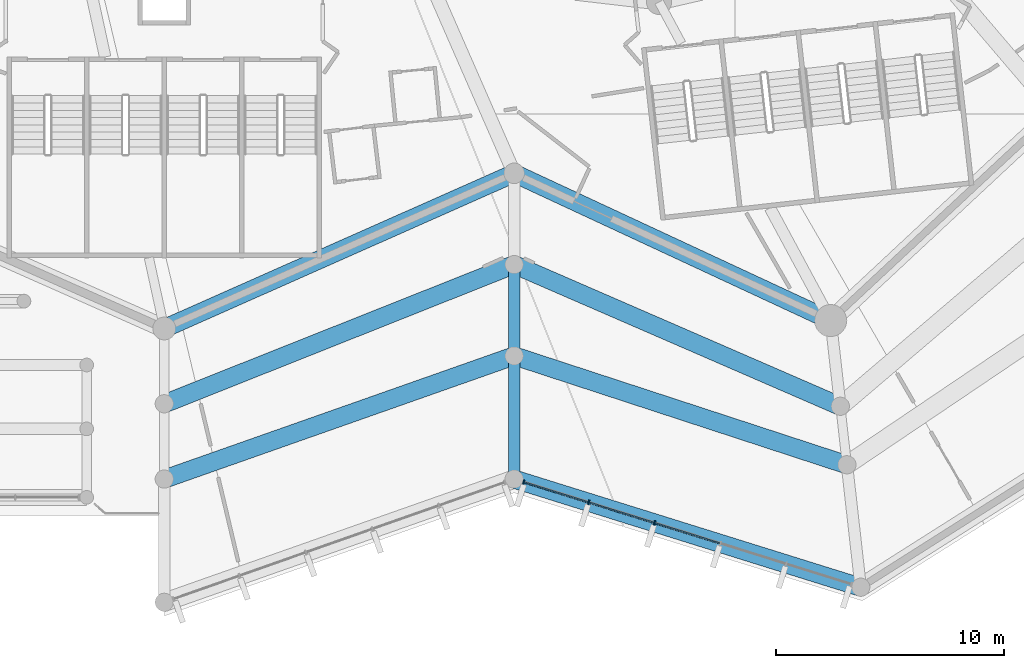
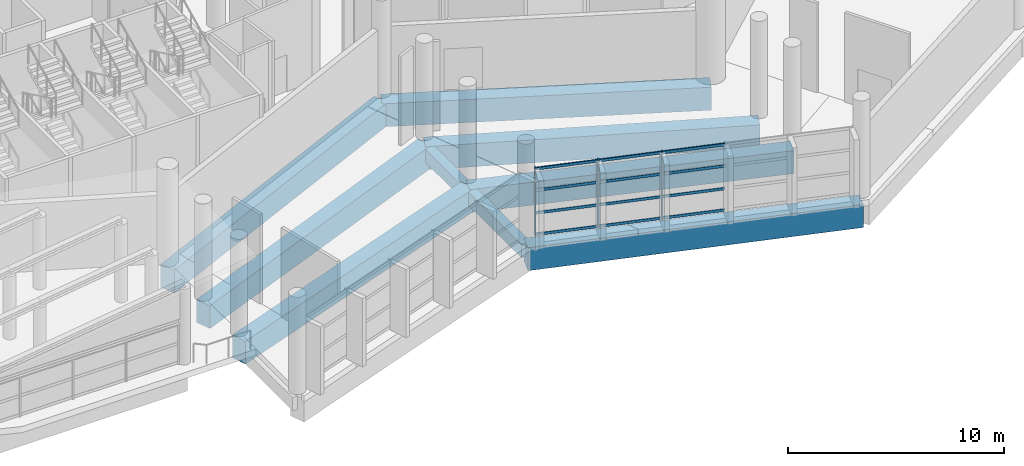
# One storey, part 40 of 271: 15 members, 9 beams, 1 element without a shape of its own.
"""IFC4 building model written with IfcOpenShell, lengths in metres."""

from ifc_helpers import new_model, si_unit, direction, frame, origin, origin_2d, place, context, subcontext, project, spatial, rectangle, extrude, material, layer, layer_set, material_profile, profile_set, type_object, element, aggregate, save


model = new_model("IFC4")

# Units and contexts
model_context = context("Model", 3, precision=1e-05, world=origin(), true_north=direction((0.0, 1.0)))
body_context = subcontext(model_context, "Body", "Model", "MODEL_VIEW")
ifc_project = project(units=[si_unit("LENGTHUNIT", "METRE"), si_unit("AREAUNIT", "SQUARE_METRE"), si_unit("VOLUMEUNIT", "CUBIC_METRE"), si_unit("PLANEANGLEUNIT", "RADIAN"), si_unit("MASSUNIT", "GRAM", prefix="KILO")], contexts=[model_context])

# Site, building, storey
site_placement = place(None, origin())
site = spatial("IfcSite", under=ifc_project, at=site_placement, CompositionType="ELEMENT")
building_placement = place(site_placement, origin())
building = spatial("IfcBuilding", under=site, at=building_placement, Name="Meseta Stadium", CompositionType="ELEMENT")
storey_placement = place(building_placement, frame((0.0, 0.0, 6.5)))
storey = spatial("IfcBuildingStorey", under=building, at=storey_placement, Name="L01", CompositionType="ELEMENT", Elevation=6.5)

# Beams
ifc_material_1 = material(Name="Concrete C40/50", Category="concrete")
ifc_material_profile_1 = material_profile(ifc_material_1, rectangle(XDim=0.5, YDim=0.75, at=origin_2d()), Name="RC 500x750")
ifc_profile_set_1 = profile_set([ifc_material_profile_1], Name="Concrete C40/50")
beam_type_1 = type_object("IfcBeamType", Name="RC beam 500x750", PredefinedType="BEAM", material=ifc_profile_set_1)
beam_1_placement = place(storey_placement, frame((38.333251953125, -102.60009765625, -0.72509765625), z_axis=(0.0, -1.0, 0.0), x_axis=(1.0, 0.0, 0.0)))
element("IfcBeam", 1, at=beam_1_placement, inside=storey, type_object=beam_type_1, Name="L01 radial beam frame 49 line M to Q", PredefinedType="BEAM", context=body_context, shape_type="SweptSolid", body=[
    extrude(rectangle(XDim=0.5, YDim=0.75, at=origin_2d()), origin(), (0.0, 0.0, 1.0), 4.0),
])
beam_2_placement = place(storey_placement, frame((38.333251953125, -106.60009765625, -0.72509765625), z_axis=(0.0, -1.0, 0.0), x_axis=(1.0, 0.0, 0.0)))
element("IfcBeam", 2, at=beam_2_placement, inside=storey, type_object=beam_type_1, Name="L01 radial beam frame 49 line Q to O", PredefinedType="BEAM", context=body_context, shape_type="SweptSolid", body=[
    extrude(rectangle(XDim=0.5, YDim=0.75, at=origin_2d()), origin(), (0.0, 0.0, 1.0), 5.39990234375),
])
ifc_material_2 = material(Name="Concrete C40/50", Category="concrete")
ifc_material_profile_2 = material_profile(ifc_material_2, rectangle(XDim=0.800048828125, YDim=1.300048828125, at=origin_2d()), Name="RC 800x1300")
ifc_profile_set_2 = profile_set([ifc_material_profile_2], Name="Concrete C40/50")
beam_type_2 = type_object("IfcBeamType", Name="RC beam 800x1300", PredefinedType="BEAM", material=ifc_profile_set_2)
beam_3_placement = place(storey_placement, frame((23.0, -105.39990234375, -1.0), z_axis=(0.914142564088, 0.405392861953, 0.0), x_axis=(-0.405392861953, 0.914142564088, 0.0)))
element("IfcBeam", 3, at=beam_3_placement, inside=storey, type_object=beam_type_2, Name="L01 ring beam frame 48 line R", PredefinedType="BEAM", context=body_context, shape_type="SweptSolid", body=[
    extrude(rectangle(XDim=0.800048828125, YDim=1.300048828125, at=origin_2d()), origin(), (0.0, 0.0, 1.0), 16.7734375),
])
beam_4_placement = place(storey_placement, frame((38.333251953125, -98.60009765625, -1.0), z_axis=(0.906704363154, -0.421766757625, 0.0), x_axis=(0.421766757625, 0.906704363154, 0.0)))
element("IfcBeam", 4, at=beam_4_placement, inside=storey, type_object=beam_type_2, Name="L01 ring beam frame 49 line R", PredefinedType="BEAM", context=body_context, shape_type="SweptSolid", body=[
    extrude(rectangle(XDim=0.800048828125, YDim=1.300048828125, at=origin_2d()), origin(), (0.0, 0.0, 1.0), 15.296630859375),
])
beam_5_placement = place(storey_placement, frame((23.0, -108.699951171875, -1.0), z_axis=(0.929173963419, 0.369642727108, 0.0), x_axis=(-0.369642727108, 0.929173963419, 0.0)))
element("IfcBeam", 5, at=beam_5_placement, inside=storey, type_object=beam_type_2, Name="L01 ring beam frame 48 line M", PredefinedType="BEAM", context=body_context, shape_type="SweptSolid", body=[
    extrude(rectangle(XDim=0.800048828125, YDim=1.300048828125, at=origin_2d()), origin(), (0.0, 0.0, 1.0), 16.501953125),
])
beam_6_placement = place(storey_placement, frame((23.0, -112.0, -1.0), z_axis=(0.943218573019, 0.332172731439, 0.0), x_axis=(-0.332172731439, 0.943218573019, 0.0)))
element("IfcBeam", 6, at=beam_6_placement, inside=storey, type_object=beam_type_2, Name="L01 ring beam frame 48 line Q", PredefinedType="BEAM", context=body_context, shape_type="SweptSolid", body=[
    extrude(rectangle(XDim=0.800048828125, YDim=1.300048828125, at=origin_2d()), origin(), (0.0, 0.0, 1.0), 16.25634765625),
])
beam_7_placement = place(storey_placement, frame((38.333251953125, -102.60009765625, -1.0), z_axis=(0.917218444674, -0.398384644219, 0.0), x_axis=(0.398384644219, 0.917218444674, 0.0)))
element("IfcBeam", 7, at=beam_7_placement, inside=storey, type_object=beam_type_2, Name="L01 ring beam frame 49 line M", PredefinedType="BEAM", context=body_context, shape_type="SweptSolid", body=[
    extrude(rectangle(XDim=0.800048828125, YDim=1.300048828125, at=origin_2d()), origin(), (0.0, 0.0, 1.0), 15.5830078125),
])
beam_8_placement = place(storey_placement, frame((38.333251953125, -106.60009765625, -1.0), z_axis=(0.950397214569, -0.311038799089, 0.0), x_axis=(0.311038799089, 0.950397214569, 0.0)))
element("IfcBeam", 8, at=beam_8_placement, inside=storey, type_object=beam_type_2, Name="L01 ring beam frame 49 line Q", PredefinedType="BEAM", context=body_context, shape_type="SweptSolid", body=[
    extrude(rectangle(XDim=0.800048828125, YDim=1.300048828125, at=origin_2d()), origin(), (0.0, 0.0, 1.0), 15.3427734375),
])
beam_9_placement = place(storey_placement, frame((38.333251953125, -112.0, -1.0), z_axis=(0.954612869987, -0.297849405667, 0.0), x_axis=(0.297849405667, 0.954612869987, 0.0)))
element("IfcBeam", 9, at=beam_9_placement, inside=storey, type_object=beam_type_2, Name="L01 ring beam frame 49 line O", PredefinedType="BEAM", context=body_context, shape_type="SweptSolid", body=[
    extrude(rectangle(XDim=0.800048828125, YDim=1.300048828125, at=origin_2d()), origin(), (0.0, 0.0, 1.0), 15.908203125),
])

# Curtain wall, members
ifc_material_3 = material(Name="Aluminium", Category="aluminium")
ifc_layer = layer(ifc_material_3, 0.199951171875)
ifc_layer_set = layer_set([ifc_layer], Name="Ring shopfront curtain wall")
curtain_wall_type = type_object("IfcCurtainWallType", Name="Ring shopfront curtain wall", PredefinedType="NOTDEFINED", material=ifc_layer_set)
curtain_wall_placement = place(storey_placement, origin())
curtain_wall = element("IfcCurtainWall", 10, at=curtain_wall_placement, inside=storey, type_object=curtain_wall_type, Name="Ring glazing L01 F49", PredefinedType="NOTDEFINED")
ifc_material_4 = material(Name="Aluminium", Category="aluminium")
ifc_material_profile_3 = material_profile(ifc_material_4, rectangle(XDim=0.199951171875, YDim=0.06005859375, at=origin_2d()), Name="CW 200x60")
ifc_profile_set_3 = profile_set([ifc_material_profile_3], Name="Aluminium")
member_type_1 = type_object("IfcMemberType", Name="Ring CW mullion 60x200", PredefinedType="MULLION", material=ifc_profile_set_3)
member_1_placement = place(storey_placement, frame((38.743896484375, -112.1279296875, 0.0), z_axis=(0.0, 0.0, 1.0), x_axis=(0.297861157885, 0.95460920309, 0.0)))
member_1 = element("IfcMember", 11, at=member_1_placement, type_object=member_type_1, Name="CWR1 mullion 1", PredefinedType="MULLION", context=body_context, shape_type="SweptSolid", body=[
    extrude(rectangle(XDim=0.199951171875, YDim=0.06005859375, at=origin_2d()), origin(), (0.0, 0.0, 1.0), 3.85009765625),
])
member_2_placement = place(storey_placement, frame((41.599609375, -113.01904296875, 0.0), z_axis=(0.0, 0.0, 1.0), x_axis=(0.297861157885, 0.95460920309, 0.0)))
member_2 = element("IfcMember", 12, at=member_2_placement, type_object=member_type_1, Name="CWR1 mullion 2", PredefinedType="MULLION", context=body_context, shape_type="SweptSolid", body=[
    extrude(rectangle(XDim=0.199951171875, YDim=0.06005859375, at=origin_2d()), origin(), (0.0, 0.0, 1.0), 3.85009765625),
])
member_3_placement = place(storey_placement, frame((44.484130859375, -113.919189453125, 0.0), z_axis=(0.0, 0.0, 1.0), x_axis=(0.297861157885, 0.95460920309, 0.0)))
member_3 = element("IfcMember", 13, at=member_3_placement, type_object=member_type_1, Name="CWR1 mullion 3", PredefinedType="MULLION", context=body_context, shape_type="SweptSolid", body=[
    extrude(rectangle(XDim=0.199951171875, YDim=0.06005859375, at=origin_2d()), origin(), (0.0, 0.0, 1.0), 3.85009765625),
])
ifc_material_5 = material(Name="Aluminium", Category="aluminium")
ifc_material_profile_4 = material_profile(ifc_material_5, rectangle(XDim=0.06005859375, YDim=0.14990234375, at=origin_2d()), Name="CW 60x150")
ifc_profile_set_4 = profile_set([ifc_material_profile_4], Name="Aluminium")
member_type_2 = type_object("IfcMemberType", Name="Ring CW transom 60x150", PredefinedType="USERDEFINED", material=ifc_profile_set_4)
member_4_placement = place(storey_placement, frame((38.7724609375, -112.136962890625, 0.074951171875), z_axis=(0.954602885883, -0.297881403019, 0.0), x_axis=(0.297881403019, 0.954602885883, 0.0)))
member_4 = element("IfcMember", 14, at=member_4_placement, type_object=member_type_2, Name="CWR1 transom 1.1", ObjectType="TRANSOM", PredefinedType="USERDEFINED", context=body_context, shape_type="SweptSolid", body=[
    extrude(rectangle(XDim=0.06005859375, YDim=0.14990234375, at=origin_2d()), origin(), (0.0, 0.0, 1.0), 2.931640625),
])
member_5_placement = place(storey_placement, frame((38.7724609375, -112.136962890625, 1.283447265625), z_axis=(0.954602885883, -0.297881403019, 0.0), x_axis=(0.297881403019, 0.954602885883, 0.0)))
member_5 = element("IfcMember", 15, at=member_5_placement, type_object=member_type_2, Name="CWR1 transom 1.2", ObjectType="TRANSOM", PredefinedType="USERDEFINED", context=body_context, shape_type="SweptSolid", body=[
    extrude(rectangle(XDim=0.06005859375, YDim=0.14990234375, at=origin_2d()), origin(), (0.0, 0.0, 1.0), 2.931640625),
])
member_6_placement = place(storey_placement, frame((38.7724609375, -112.136962890625, 2.566650390625), z_axis=(0.954602885883, -0.297881403019, 0.0), x_axis=(0.297881403019, 0.954602885883, 0.0)))
member_6 = element("IfcMember", 16, at=member_6_placement, type_object=member_type_2, Name="CWR1 transom 1.3", ObjectType="TRANSOM", PredefinedType="USERDEFINED", context=body_context, shape_type="SweptSolid", body=[
    extrude(rectangle(XDim=0.06005859375, YDim=0.14990234375, at=origin_2d()), origin(), (0.0, 0.0, 1.0), 2.931640625),
])
member_7_placement = place(storey_placement, frame((38.7724609375, -112.136962890625, 3.77490234375), z_axis=(0.954602885883, -0.297881403019, 0.0), x_axis=(0.297881403019, 0.954602885883, 0.0)))
member_7 = element("IfcMember", 17, at=member_7_placement, type_object=member_type_2, Name="CWR1 transom 1.4", ObjectType="TRANSOM", PredefinedType="USERDEFINED", context=body_context, shape_type="SweptSolid", body=[
    extrude(rectangle(XDim=0.06005859375, YDim=0.14990234375, at=origin_2d()), origin(), (0.0, 0.0, 1.0), 2.931640625),
])
member_8_placement = place(storey_placement, frame((41.62841796875, -113.028076171875, 0.074951171875), z_axis=(0.954614829799, -0.297843124358, 0.0), x_axis=(0.297843124358, 0.954614829799, 0.0)))
member_8 = element("IfcMember", 18, at=member_8_placement, type_object=member_type_2, Name="CWR1 transom 2.1", ObjectType="TRANSOM", PredefinedType="USERDEFINED", context=body_context, shape_type="SweptSolid", body=[
    extrude(rectangle(XDim=0.06005859375, YDim=0.14990234375, at=origin_2d()), origin(), (0.0, 0.0, 1.0), 2.961669921875),
])
member_9_placement = place(storey_placement, frame((41.62841796875, -113.028076171875, 1.283447265625), z_axis=(0.954614829799, -0.297843124358, 0.0), x_axis=(0.297843124358, 0.954614829799, 0.0)))
member_9 = element("IfcMember", 19, at=member_9_placement, type_object=member_type_2, Name="CWR1 transom 2.2", ObjectType="TRANSOM", PredefinedType="USERDEFINED", context=body_context, shape_type="SweptSolid", body=[
    extrude(rectangle(XDim=0.06005859375, YDim=0.14990234375, at=origin_2d()), origin(), (0.0, 0.0, 1.0), 2.961669921875),
])
member_10_placement = place(storey_placement, frame((41.62841796875, -113.028076171875, 2.566650390625), z_axis=(0.954614829799, -0.297843124358, 0.0), x_axis=(0.297843124358, 0.954614829799, 0.0)))
member_10 = element("IfcMember", 20, at=member_10_placement, type_object=member_type_2, Name="CWR1 transom 2.3", ObjectType="TRANSOM", PredefinedType="USERDEFINED", context=body_context, shape_type="SweptSolid", body=[
    extrude(rectangle(XDim=0.06005859375, YDim=0.14990234375, at=origin_2d()), origin(), (0.0, 0.0, 1.0), 2.961669921875),
])
member_11_placement = place(storey_placement, frame((41.62841796875, -113.028076171875, 3.77490234375), z_axis=(0.954614829799, -0.297843124358, 0.0), x_axis=(0.297843124358, 0.954614829799, 0.0)))
member_11 = element("IfcMember", 21, at=member_11_placement, type_object=member_type_2, Name="CWR1 transom 2.4", ObjectType="TRANSOM", PredefinedType="USERDEFINED", context=body_context, shape_type="SweptSolid", body=[
    extrude(rectangle(XDim=0.06005859375, YDim=0.14990234375, at=origin_2d()), origin(), (0.0, 0.0, 1.0), 2.961669921875),
])
member_12_placement = place(storey_placement, frame((44.512939453125, -113.92822265625, 0.074951171875), z_axis=(0.954614829799, -0.297843124358, 0.0), x_axis=(0.297843124358, 0.954614829799, 0.0)))
member_12 = element("IfcMember", 22, at=member_12_placement, type_object=member_type_2, Name="CWR1 transom 3.1", ObjectType="TRANSOM", PredefinedType="USERDEFINED", context=body_context, shape_type="SweptSolid", body=[
    extrude(rectangle(XDim=0.06005859375, YDim=0.14990234375, at=origin_2d()), origin(), (0.0, 0.0, 1.0), 2.961669921875),
])
member_13_placement = place(storey_placement, frame((44.512939453125, -113.92822265625, 1.283447265625), z_axis=(0.954614829799, -0.297843124358, 0.0), x_axis=(0.297843124358, 0.954614829799, 0.0)))
member_13 = element("IfcMember", 23, at=member_13_placement, type_object=member_type_2, Name="CWR1 transom 3.2", ObjectType="TRANSOM", PredefinedType="USERDEFINED", context=body_context, shape_type="SweptSolid", body=[
    extrude(rectangle(XDim=0.06005859375, YDim=0.14990234375, at=origin_2d()), origin(), (0.0, 0.0, 1.0), 2.961669921875),
])
member_14_placement = place(storey_placement, frame((44.512939453125, -113.92822265625, 2.566650390625), z_axis=(0.954614829799, -0.297843124358, 0.0), x_axis=(0.297843124358, 0.954614829799, 0.0)))
member_14 = element("IfcMember", 24, at=member_14_placement, type_object=member_type_2, Name="CWR1 transom 3.3", ObjectType="TRANSOM", PredefinedType="USERDEFINED", context=body_context, shape_type="SweptSolid", body=[
    extrude(rectangle(XDim=0.06005859375, YDim=0.14990234375, at=origin_2d()), origin(), (0.0, 0.0, 1.0), 2.961669921875),
])
member_15_placement = place(storey_placement, frame((44.512939453125, -113.92822265625, 3.77490234375), z_axis=(0.954614829799, -0.297843124358, 0.0), x_axis=(0.297843124358, 0.954614829799, 0.0)))
member_15 = element("IfcMember", 25, at=member_15_placement, type_object=member_type_2, Name="CWR1 transom 3.4", ObjectType="TRANSOM", PredefinedType="USERDEFINED", context=body_context, shape_type="SweptSolid", body=[
    extrude(rectangle(XDim=0.06005859375, YDim=0.14990234375, at=origin_2d()), origin(), (0.0, 0.0, 1.0), 2.961669921875),
])
aggregate(curtain_wall, [member_1, member_2, member_3, member_4, member_5, member_6, member_7, member_8, member_9, member_10, member_11, member_12, member_13, member_14, member_15])

save(model, "model.ifc")
